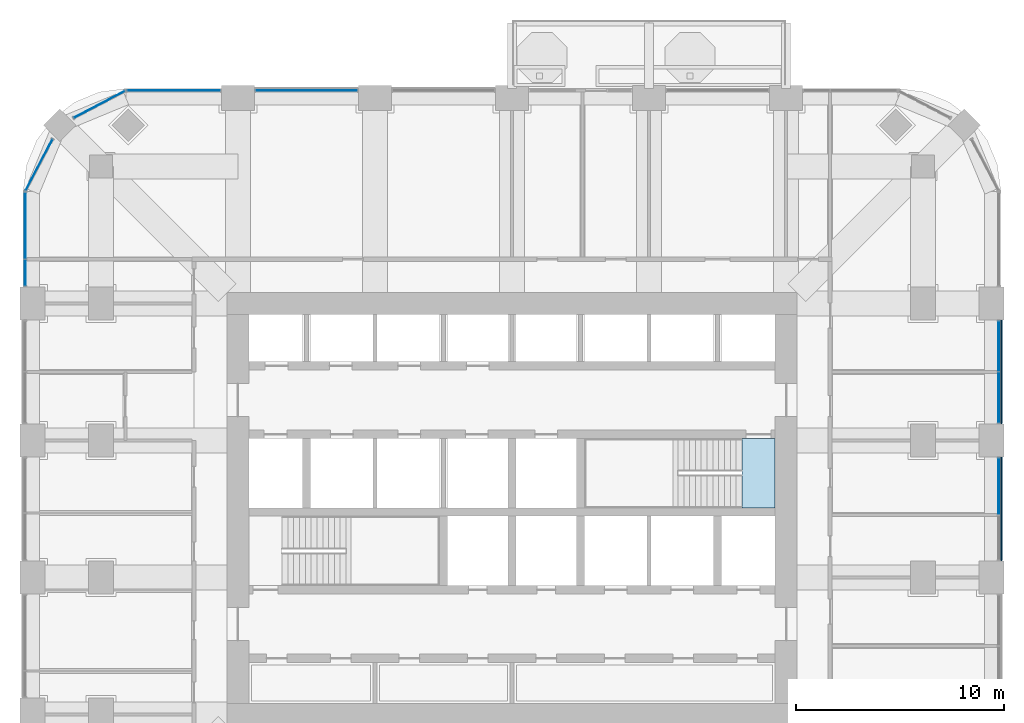
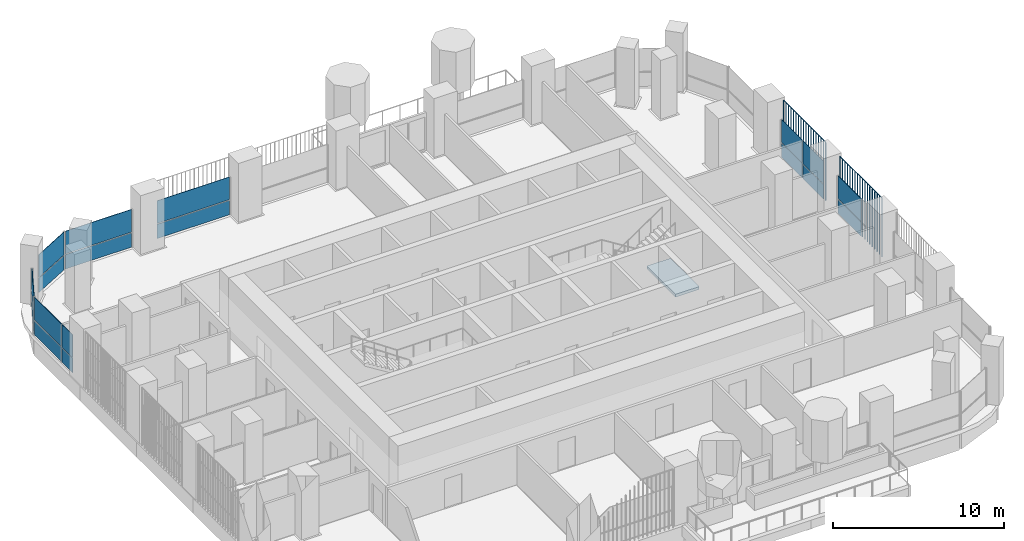
# One storey, part 11 of 20: 20 plates, 1 slab, 8 elements without a shape of their own.
"""IFC4 building model written with IfcOpenShell, lengths in metres."""

from ifc_helpers import new_model, si_unit, direction, frame, origin, origin_2d, place, context, subcontext, project, spatial, polyline, rectangle, outline, extrude, material, layer, layer_set, type_object, element, aggregate, save


model = new_model("IFC4")

# Units and contexts
model_context = context("Model", 3, precision=1e-05, world=origin(), true_north=direction((0.0, 1.0)))
body_context = subcontext(model_context, "Body", "Model", "MODEL_VIEW")
ifc_project = project(units=[si_unit("LENGTHUNIT", "METRE"), si_unit("AREAUNIT", "SQUARE_METRE"), si_unit("VOLUMEUNIT", "CUBIC_METRE"), si_unit("PLANEANGLEUNIT", "RADIAN"), si_unit("MASSUNIT", "GRAM", prefix="KILO")], contexts=[model_context])

# Site, building, storey
site_placement = place(None, origin())
site = spatial("IfcSite", under=ifc_project, at=site_placement, CompositionType="ELEMENT")
building_placement = place(site_placement, origin())
building = spatial("IfcBuilding", under=site, at=building_placement, Name="Cobogo Forest Laboratory Tower", CompositionType="ELEMENT")
storey_placement = place(building_placement, frame((0.0, 0.0, 189.300048828125)))
storey = spatial("IfcBuildingStorey", under=building, at=storey_placement, Name="L43", CompositionType="ELEMENT", Elevation=189.300048828125)

# Curtain wall, plates
ifc_material_1 = material(Name="Aluminium curtain wall", Category="aluminium")
curtain_wall_type = type_object("IfcCurtainWallType", Name="CW-2 unitised curtain wall, solar control glazing, laboratory floors zones C and D", PredefinedType="USERDEFINED", material=ifc_material_1)
curtain_wall_1_placement = place(storey_placement, origin())
curtain_wall_1 = element("IfcCurtainWall", 1, at=curtain_wall_1_placement, inside=storey, type_object=curtain_wall_type, Name="Curtain wall 11 L43", ObjectType="UNITISED CURTAIN WALL", PredefinedType="USERDEFINED")
ifc_material_2 = material(Name="Solar control insulated glass", Category="glass")
ifc_layer_1 = layer(ifc_material_2, 0.031982421875)
ifc_layer_set_1 = layer_set([ifc_layer_1], Name="GP-2 solar control glass unit 32")
plate_type_1 = type_object("IfcPlateType", Name="GP-2 solar control glass unit 32", PredefinedType="CURTAIN_PANEL", material=ifc_layer_set_1)
plate_1_placement = place(storey_placement, frame((49.85009765625, 24.18505859375, 0.0), z_axis=(0.0, 0.0, 1.0), x_axis=(0.0, 1.0, 0.0)))
plate_1 = element("IfcPlate", 2, at=plate_1_placement, type_object=plate_type_1, Name="CW-2 panel 2.1", PredefinedType="CURTAIN_PANEL", context=body_context, shape_type="SweptSolid", body=[
    extrude(rectangle(XDim=2.7099609375, YDim=0.031982421875, at=origin_2d()), origin(), (0.0, 0.0, 1.0), 1.02001953125),
])
plate_2_placement = place(storey_placement, frame((49.85009765625, 24.18505859375, 1.079833984375), z_axis=(0.0, 0.0, 1.0), x_axis=(0.0, 1.0, 0.0)))
plate_2 = element("IfcPlate", 3, at=plate_2_placement, type_object=plate_type_1, Name="CW-2 panel 2.2", PredefinedType="CURTAIN_PANEL", context=body_context, shape_type="SweptSolid", body=[
    extrude(rectangle(XDim=2.7099609375, YDim=0.031982421875, at=origin_2d()), origin(), (0.0, 0.0, 1.0), 1.6201171875),
])
aggregate(curtain_wall_1, [plate_1, plate_2])

curtain_wall_2_placement = place(storey_placement, origin())
curtain_wall_2 = element("IfcCurtainWall", 4, at=curtain_wall_2_placement, inside=storey, type_object=curtain_wall_type, Name="Curtain wall 12 L43", ObjectType="UNITISED CURTAIN WALL", PredefinedType="USERDEFINED")
plate_3_placement = place(storey_placement, frame((49.85009765625, 28.465087890625, 0.0), z_axis=(0.0, 0.0, 1.0), x_axis=(0.0, 1.0, 0.0)))
plate_3 = element("IfcPlate", 5, at=plate_3_placement, type_object=plate_type_1, Name="CW-2 panel 1.1", PredefinedType="CURTAIN_PANEL", context=body_context, shape_type="SweptSolid", body=[
    extrude(rectangle(XDim=2.409912109375, YDim=0.031982421875, at=origin_2d()), origin(), (0.0, 0.0, 1.0), 1.02001953125),
])
plate_4_placement = place(storey_placement, frame((49.85009765625, 28.465087890625, 1.079833984375), z_axis=(0.0, 0.0, 1.0), x_axis=(0.0, 1.0, 0.0)))
plate_4 = element("IfcPlate", 6, at=plate_4_placement, type_object=plate_type_1, Name="CW-2 panel 1.2", PredefinedType="CURTAIN_PANEL", context=body_context, shape_type="SweptSolid", body=[
    extrude(rectangle(XDim=2.409912109375, YDim=0.031982421875, at=origin_2d()), origin(), (0.0, 0.0, 1.0), 1.6201171875),
])
plate_5_placement = place(storey_placement, frame((49.85009765625, 30.93505859375, 0.0), z_axis=(0.0, 0.0, 1.0), x_axis=(0.0, 1.0, 0.0)))
plate_5 = element("IfcPlate", 7, at=plate_5_placement, type_object=plate_type_1, Name="CW-2 panel 2.1", PredefinedType="CURTAIN_PANEL", context=body_context, shape_type="SweptSolid", body=[
    extrude(rectangle(XDim=2.409912109375, YDim=0.031982421875, at=origin_2d()), origin(), (0.0, 0.0, 1.0), 1.02001953125),
])
plate_6_placement = place(storey_placement, frame((49.85009765625, 30.93505859375, 1.079833984375), z_axis=(0.0, 0.0, 1.0), x_axis=(0.0, 1.0, 0.0)))
plate_6 = element("IfcPlate", 8, at=plate_6_placement, type_object=plate_type_1, Name="CW-2 panel 2.2", PredefinedType="CURTAIN_PANEL", context=body_context, shape_type="SweptSolid", body=[
    extrude(rectangle(XDim=2.409912109375, YDim=0.031982421875, at=origin_2d()), origin(), (0.0, 0.0, 1.0), 1.6201171875),
])
aggregate(curtain_wall_2, [plate_3, plate_4, plate_5, plate_6])

curtain_wall_3_placement = place(storey_placement, origin())
curtain_wall_3 = element("IfcCurtainWall", 9, at=curtain_wall_3_placement, inside=storey, type_object=curtain_wall_type, Name="Curtain wall 20 L43", ObjectType="UNITISED CURTAIN WALL", PredefinedType="USERDEFINED")
plate_7_placement = place(storey_placement, frame((16.5, 43.25, 0.0), z_axis=(0.0, 0.0, 1.0), x_axis=(-1.0, 0.0, 0.0)))
plate_7 = element("IfcPlate", 10, at=plate_7_placement, type_object=plate_type_1, Name="CW-2 panel 1.1", PredefinedType="CURTAIN_PANEL", context=body_context, shape_type="SweptSolid", body=[
    extrude(rectangle(XDim=4.8798828125, YDim=0.031982421875, at=origin_2d()), origin(), (0.0, 0.0, 1.0), 1.02001953125),
])
plate_8_placement = place(storey_placement, frame((16.5, 43.25, 1.079833984375), z_axis=(0.0, 0.0, 1.0), x_axis=(-1.0, 0.0, 0.0)))
plate_8 = element("IfcPlate", 11, at=plate_8_placement, type_object=plate_type_1, Name="CW-2 panel 1.2", PredefinedType="CURTAIN_PANEL", context=body_context, shape_type="SweptSolid", body=[
    extrude(rectangle(XDim=4.8798828125, YDim=0.031982421875, at=origin_2d()), origin(), (0.0, 0.0, 1.0), 1.6201171875),
])
aggregate(curtain_wall_3, [plate_7, plate_8])

curtain_wall_4_placement = place(storey_placement, origin())
curtain_wall_4 = element("IfcCurtainWall", 12, at=curtain_wall_4_placement, inside=storey, type_object=curtain_wall_type, Name="Curtain wall 21 L43", ObjectType="UNITISED CURTAIN WALL", PredefinedType="USERDEFINED")
plate_9_placement = place(storey_placement, frame((10.10009765625, 43.25, 0.0), z_axis=(0.0, 0.0, 1.0), x_axis=(-1.0, 0.0, 0.0)))
plate_9 = element("IfcPlate", 13, at=plate_9_placement, type_object=plate_type_1, Name="CW-2 panel 1.1", PredefinedType="CURTAIN_PANEL", context=body_context, shape_type="SweptSolid", body=[
    extrude(rectangle(XDim=4.47998046875, YDim=0.031982421875, at=origin_2d()), origin(), (0.0, 0.0, 1.0), 1.02001953125),
])
plate_10_placement = place(storey_placement, frame((10.10009765625, 43.25, 1.079833984375), z_axis=(0.0, 0.0, 1.0), x_axis=(-1.0, 0.0, 0.0)))
plate_10 = element("IfcPlate", 14, at=plate_10_placement, type_object=plate_type_1, Name="CW-2 panel 1.2", PredefinedType="CURTAIN_PANEL", context=body_context, shape_type="SweptSolid", body=[
    extrude(rectangle(XDim=4.47998046875, YDim=0.031982421875, at=origin_2d()), origin(), (0.0, 0.0, 1.0), 1.6201171875),
])
aggregate(curtain_wall_4, [plate_9, plate_10])

curtain_wall_5_placement = place(storey_placement, origin())
curtain_wall_5 = element("IfcCurtainWall", 15, at=curtain_wall_5_placement, inside=storey, type_object=curtain_wall_type, Name="Curtain wall 22 L43", ObjectType="UNITISED CURTAIN WALL", PredefinedType="USERDEFINED")
plate_11_placement = place(storey_placement, frame((6.5244140625, 42.581298828125, 0.0), z_axis=(0.0, 0.0, 1.0), x_axis=(-0.885686484356, -0.464283804832, 0.0)))
plate_11 = element("IfcPlate", 16, at=plate_11_placement, type_object=plate_type_1, Name="CW-2 panel 1.1", PredefinedType="CURTAIN_PANEL", context=body_context, shape_type="SweptSolid", body=[
    extrude(rectangle(XDim=2.76025390625, YDim=0.031982421875, at=origin_2d()), origin(), (0.0, 0.0, 1.0), 1.02001953125),
])
plate_12_placement = place(storey_placement, frame((6.5244140625, 42.581298828125, 1.079833984375), z_axis=(0.0, 0.0, 1.0), x_axis=(-0.885686484356, -0.464283804832, 0.0)))
plate_12 = element("IfcPlate", 17, at=plate_12_placement, type_object=plate_type_1, Name="CW-2 panel 1.2", PredefinedType="CURTAIN_PANEL", context=body_context, shape_type="SweptSolid", body=[
    extrude(rectangle(XDim=2.76025390625, YDim=0.031982421875, at=origin_2d()), origin(), (0.0, 0.0, 1.0), 1.6201171875),
])
aggregate(curtain_wall_5, [plate_11, plate_12])

curtain_wall_6_placement = place(storey_placement, origin())
curtain_wall_6 = element("IfcCurtainWall", 18, at=curtain_wall_6_placement, inside=storey, type_object=curtain_wall_type, Name="Curtain wall 23 L43", ObjectType="UNITISED CURTAIN WALL", PredefinedType="USERDEFINED")
plate_13_placement = place(storey_placement, frame((3.61865234375, 39.675537109375, 0.0), z_axis=(0.0, 0.0, 1.0), x_axis=(-0.464283804832, -0.885686484356, 0.0)))
plate_13 = element("IfcPlate", 19, at=plate_13_placement, type_object=plate_type_1, Name="CW-2 panel 1.1", PredefinedType="CURTAIN_PANEL", context=body_context, shape_type="SweptSolid", body=[
    extrude(rectangle(XDim=2.76025390625, YDim=0.031982421875, at=origin_2d()), origin(), (0.0, 0.0, 1.0), 1.02001953125),
])
plate_14_placement = place(storey_placement, frame((3.61865234375, 39.675537109375, 1.079833984375), z_axis=(0.0, 0.0, 1.0), x_axis=(-0.464283804832, -0.885686484356, 0.0)))
plate_14 = element("IfcPlate", 20, at=plate_14_placement, type_object=plate_type_1, Name="CW-2 panel 1.2", PredefinedType="CURTAIN_PANEL", context=body_context, shape_type="SweptSolid", body=[
    extrude(rectangle(XDim=2.76025390625, YDim=0.031982421875, at=origin_2d()), origin(), (0.0, 0.0, 1.0), 1.6201171875),
])
aggregate(curtain_wall_6, [plate_13, plate_14])

curtain_wall_7_placement = place(storey_placement, origin())
curtain_wall_7 = element("IfcCurtainWall", 21, at=curtain_wall_7_placement, inside=storey, type_object=curtain_wall_type, Name="Curtain wall 24 L43", ObjectType="UNITISED CURTAIN WALL", PredefinedType="USERDEFINED")
plate_15_placement = place(storey_placement, frame((2.949951171875, 36.74755859375, 0.0), z_axis=(0.0, 0.0, 1.0), x_axis=(0.0, -1.0, 0.0)))
plate_15 = element("IfcPlate", 22, at=plate_15_placement, type_object=plate_type_1, Name="CW-2 panel 1.1", PredefinedType="CURTAIN_PANEL", context=body_context, shape_type="SweptSolid", body=[
    extrude(rectangle(XDim=3.18505859375, YDim=0.031982421875, at=origin_2d()), origin(), (0.0, 0.0, 1.0), 1.02001953125),
])
plate_16_placement = place(storey_placement, frame((2.949951171875, 36.74755859375, 1.079833984375), z_axis=(0.0, 0.0, 1.0), x_axis=(0.0, -1.0, 0.0)))
plate_16 = element("IfcPlate", 23, at=plate_16_placement, type_object=plate_type_1, Name="CW-2 panel 1.2", PredefinedType="CURTAIN_PANEL", context=body_context, shape_type="SweptSolid", body=[
    extrude(rectangle(XDim=3.18505859375, YDim=0.031982421875, at=origin_2d()), origin(), (0.0, 0.0, 1.0), 1.6201171875),
])
plate_17_placement = place(storey_placement, frame((2.949951171875, 34.4775390625, 0.0), z_axis=(0.0, 0.0, 1.0), x_axis=(0.0, -1.0, 0.0)))
plate_17 = element("IfcPlate", 24, at=plate_17_placement, type_object=plate_type_1, Name="CW-2 panel 2.1", PredefinedType="CURTAIN_PANEL", context=body_context, shape_type="SweptSolid", body=[
    extrude(rectangle(XDim=1.235107421875, YDim=0.031982421875, at=origin_2d()), origin(), (0.0, 0.0, 1.0), 1.02001953125),
])
plate_18_placement = place(storey_placement, frame((2.949951171875, 34.4775390625, 1.079833984375), z_axis=(0.0, 0.0, 1.0), x_axis=(0.0, -1.0, 0.0)))
plate_18 = element("IfcPlate", 25, at=plate_18_placement, type_object=plate_type_1, Name="CW-2 panel 2.2", PredefinedType="CURTAIN_PANEL", context=body_context, shape_type="SweptSolid", body=[
    extrude(rectangle(XDim=1.235107421875, YDim=0.031982421875, at=origin_2d()), origin(), (0.0, 0.0, 1.0), 1.6201171875),
])
aggregate(curtain_wall_7, [plate_15, plate_16, plate_17, plate_18])

# Stair, slab
ifc_material_3 = material(Name="Precast concrete HA-40 (C40/50)", Category="concrete")
stair_type = type_object("IfcStairType", Name="ST24 exit stair 24 risers", PredefinedType="HALF_TURN_STAIR", material=ifc_material_3)
stair_placement = place(storey_placement, origin())
stair = element("IfcStair", 26, at=stair_placement, inside=storey, type_object=stair_type, Name="Stair 2 L43 to L44", PredefinedType="HALF_TURN_STAIR")
ifc_material_4 = material(Name="Concrete HA-40 (C40/50)", Category="concrete")
ifc_layer_2 = layer(ifc_material_4, 0.199951171875)
ifc_layer_set_2 = layer_set([ifc_layer_2], Name="SL stair landing 200")
slab_type = type_object("IfcSlabType", Name="SL stair landing 200", PredefinedType="LANDING", material=ifc_layer_set_2)
slab_placement = place(storey_placement, frame((0.0, 0.0, -0.199951171875)))
slab = element("IfcSlab", 27, at=slab_placement, type_object=slab_type, Name="ST2 landing 1", PredefinedType="LANDING", context=body_context, shape_type="SweptSolid", body=[
    extrude(outline(polyline([(37.472900390625, 23.14990234375), (39.074951171875, 23.14990234375), (39.074951171875, 26.5), (37.472900390625, 26.5), (37.472900390625, 23.14990234375)])), origin(), (0.0, 0.0, 1.0), 0.199951171875),
])
aggregate(stair, [slab])

# Plates
ifc_material_5 = material(Name="Terracotta", Category="masonry")
plate_type_2 = type_object("IfcPlateType", Name="TB1 terracotta baguette screen", PredefinedType="USERDEFINED", material=ifc_material_5)
plate_19_placement = place(storey_placement, frame((49.977783203125, 20.63134765625, -0.150146484375)))
element("IfcPlate", 28, at=plate_19_placement, inside=storey, type_object=plate_type_2, Name="Baguette screen E2 L43", ObjectType="BAGUETTE SCREEN", PredefinedType="USERDEFINED", context=body_context, shape_type="SweptSolid", body=[
    extrude(outline(polyline([(0.02880859375, 0.011962890625), (0.011962890625, 0.02880859375), (-0.011962890625, 0.02880859375), (-0.02880859375, 0.011962890625), (-0.02880859375, -0.011962890625), (-0.011962890625, -0.02880859375), (0.011962890625, -0.02880859375), (0.02880859375, -0.011962890625), (0.02880859375, 0.011962890625)])), frame((0.0, 0.0, 4.168701171875), z_axis=(0.0, 1.0, 0.0), x_axis=(-1.0, 0.0, 0.0)), (0.0, 0.0, 1.0), 4.9375),
    extrude(outline(polyline([(0.02880859375, 0.011962890625), (0.011962890625, 0.02880859375), (-0.011962890625, 0.02880859375), (-0.02880859375, 0.011962890625), (-0.02880859375, -0.011962890625), (-0.011962890625, -0.02880859375), (0.011962890625, -0.02880859375), (0.02880859375, -0.011962890625), (0.02880859375, 0.011962890625)])), origin(), (0.0, 0.0, 1.0), 4.137451171875),
    extrude(outline(polyline([(0.02880859375, 0.011962890625), (0.011962890625, 0.02880859375), (-0.011962890625, 0.02880859375), (-0.02880859375, 0.011962890625), (-0.02880859375, -0.011962890625), (-0.011962890625, -0.02880859375), (0.011962890625, -0.02880859375), (0.02880859375, -0.011962890625), (0.02880859375, 0.011962890625)])), frame((0.0, 0.29052734375, 0.0)), (0.0, 0.0, 1.0), 4.137451171875),
    extrude(outline(polyline([(0.02880859375, 0.011962890625), (0.011962890625, 0.02880859375), (-0.011962890625, 0.02880859375), (-0.02880859375, 0.011962890625), (-0.02880859375, -0.011962890625), (-0.011962890625, -0.02880859375), (0.011962890625, -0.02880859375), (0.02880859375, -0.011962890625), (0.02880859375, 0.011962890625)])), frame((0.0, 0.580810546875, 0.0)), (0.0, 0.0, 1.0), 4.137451171875),
    extrude(outline(polyline([(0.02880859375, 0.011962890625), (0.011962890625, 0.02880859375), (-0.011962890625, 0.02880859375), (-0.02880859375, 0.011962890625), (-0.02880859375, -0.011962890625), (-0.011962890625, -0.02880859375), (0.011962890625, -0.02880859375), (0.02880859375, -0.011962890625), (0.02880859375, 0.011962890625)])), frame((0.0, 0.871337890625, 0.0)), (0.0, 0.0, 1.0), 4.137451171875),
    extrude(outline(polyline([(0.02880859375, 0.011962890625), (0.011962890625, 0.02880859375), (-0.011962890625, 0.02880859375), (-0.02880859375, 0.011962890625), (-0.02880859375, -0.011962890625), (-0.011962890625, -0.02880859375), (0.011962890625, -0.02880859375), (0.02880859375, -0.011962890625), (0.02880859375, 0.011962890625)])), frame((0.0, 1.161865234375, 0.0)), (0.0, 0.0, 1.0), 4.137451171875),
    extrude(outline(polyline([(0.02880859375, 0.011962890625), (0.011962890625, 0.02880859375), (-0.011962890625, 0.02880859375), (-0.02880859375, 0.011962890625), (-0.02880859375, -0.011962890625), (-0.011962890625, -0.02880859375), (0.011962890625, -0.02880859375), (0.02880859375, -0.011962890625), (0.02880859375, 0.011962890625)])), frame((0.0, 1.4521484375, 0.0)), (0.0, 0.0, 1.0), 4.137451171875),
    extrude(outline(polyline([(0.02880859375, 0.011962890625), (0.011962890625, 0.02880859375), (-0.011962890625, 0.02880859375), (-0.02880859375, 0.011962890625), (-0.02880859375, -0.011962890625), (-0.011962890625, -0.02880859375), (0.011962890625, -0.02880859375), (0.02880859375, -0.011962890625), (0.02880859375, 0.011962890625)])), frame((0.0, 1.74267578125, 0.0)), (0.0, 0.0, 1.0), 4.137451171875),
    extrude(outline(polyline([(0.02880859375, 0.011962890625), (0.011962890625, 0.02880859375), (-0.011962890625, 0.02880859375), (-0.02880859375, 0.011962890625), (-0.02880859375, -0.011962890625), (-0.011962890625, -0.02880859375), (0.011962890625, -0.02880859375), (0.02880859375, -0.011962890625), (0.02880859375, 0.011962890625)])), frame((0.0, 2.033203125, 0.0)), (0.0, 0.0, 1.0), 4.137451171875),
    extrude(outline(polyline([(0.02880859375, 0.011962890625), (0.011962890625, 0.02880859375), (-0.011962890625, 0.02880859375), (-0.02880859375, 0.011962890625), (-0.02880859375, -0.011962890625), (-0.011962890625, -0.02880859375), (0.011962890625, -0.02880859375), (0.02880859375, -0.011962890625), (0.02880859375, 0.011962890625)])), frame((0.0, 2.323486328125, 0.0)), (0.0, 0.0, 1.0), 4.137451171875),
    extrude(outline(polyline([(0.02880859375, 0.011962890625), (0.011962890625, 0.02880859375), (-0.011962890625, 0.02880859375), (-0.02880859375, 0.011962890625), (-0.02880859375, -0.011962890625), (-0.011962890625, -0.02880859375), (0.011962890625, -0.02880859375), (0.02880859375, -0.011962890625), (0.02880859375, 0.011962890625)])), frame((0.0, 2.614013671875, 0.0)), (0.0, 0.0, 1.0), 4.137451171875),
    extrude(outline(polyline([(0.02880859375, 0.011962890625), (0.011962890625, 0.02880859375), (-0.011962890625, 0.02880859375), (-0.02880859375, 0.011962890625), (-0.02880859375, -0.011962890625), (-0.011962890625, -0.02880859375), (0.011962890625, -0.02880859375), (0.02880859375, -0.011962890625), (0.02880859375, 0.011962890625)])), frame((0.0, 2.904296875, 0.0)), (0.0, 0.0, 1.0), 4.137451171875),
    extrude(outline(polyline([(0.02880859375, 0.011962890625), (0.011962890625, 0.02880859375), (-0.011962890625, 0.02880859375), (-0.02880859375, 0.011962890625), (-0.02880859375, -0.011962890625), (-0.011962890625, -0.02880859375), (0.011962890625, -0.02880859375), (0.02880859375, -0.011962890625), (0.02880859375, 0.011962890625)])), frame((0.0, 3.19482421875, 0.0)), (0.0, 0.0, 1.0), 4.137451171875),
    extrude(outline(polyline([(0.02880859375, 0.011962890625), (0.011962890625, 0.02880859375), (-0.011962890625, 0.02880859375), (-0.02880859375, 0.011962890625), (-0.02880859375, -0.011962890625), (-0.011962890625, -0.02880859375), (0.011962890625, -0.02880859375), (0.02880859375, -0.011962890625), (0.02880859375, 0.011962890625)])), frame((0.0, 3.4853515625, 0.0)), (0.0, 0.0, 1.0), 4.137451171875),
    extrude(outline(polyline([(0.02880859375, 0.011962890625), (0.011962890625, 0.02880859375), (-0.011962890625, 0.02880859375), (-0.02880859375, 0.011962890625), (-0.02880859375, -0.011962890625), (-0.011962890625, -0.02880859375), (0.011962890625, -0.02880859375), (0.02880859375, -0.011962890625), (0.02880859375, 0.011962890625)])), frame((0.0, 3.775634765625, 0.0)), (0.0, 0.0, 1.0), 4.137451171875),
    extrude(outline(polyline([(0.02880859375, 0.011962890625), (0.011962890625, 0.02880859375), (-0.011962890625, 0.02880859375), (-0.02880859375, 0.011962890625), (-0.02880859375, -0.011962890625), (-0.011962890625, -0.02880859375), (0.011962890625, -0.02880859375), (0.02880859375, -0.011962890625), (0.02880859375, 0.011962890625)])), frame((0.0, 4.066162109375, 0.0)), (0.0, 0.0, 1.0), 4.137451171875),
    extrude(outline(polyline([(0.02880859375, 0.011962890625), (0.011962890625, 0.02880859375), (-0.011962890625, 0.02880859375), (-0.02880859375, 0.011962890625), (-0.02880859375, -0.011962890625), (-0.011962890625, -0.02880859375), (0.011962890625, -0.02880859375), (0.02880859375, -0.011962890625), (0.02880859375, 0.011962890625)])), frame((0.0, 4.356689453125, 0.0)), (0.0, 0.0, 1.0), 4.137451171875),
    extrude(outline(polyline([(0.02880859375, 0.011962890625), (0.011962890625, 0.02880859375), (-0.011962890625, 0.02880859375), (-0.02880859375, 0.011962890625), (-0.02880859375, -0.011962890625), (-0.011962890625, -0.02880859375), (0.011962890625, -0.02880859375), (0.02880859375, -0.011962890625), (0.02880859375, 0.011962890625)])), frame((0.0, 4.64697265625, 0.0)), (0.0, 0.0, 1.0), 4.137451171875),
    extrude(outline(polyline([(0.02880859375, 0.011962890625), (0.011962890625, 0.02880859375), (-0.011962890625, 0.02880859375), (-0.02880859375, 0.011962890625), (-0.02880859375, -0.011962890625), (-0.011962890625, -0.02880859375), (0.011962890625, -0.02880859375), (0.02880859375, -0.011962890625), (0.02880859375, 0.011962890625)])), frame((0.0, 4.9375, 0.0)), (0.0, 0.0, 1.0), 4.137451171875),
])
plate_20_placement = place(storey_placement, frame((49.977783203125, 27.231201171875, -0.150146484375)))
element("IfcPlate", 29, at=plate_20_placement, inside=storey, type_object=plate_type_2, Name="Baguette screen E3 L43", ObjectType="BAGUETTE SCREEN", PredefinedType="USERDEFINED", context=body_context, shape_type="SweptSolid", body=[
    extrude(outline(polyline([(0.02880859375, 0.011962890625), (0.011962890625, 0.02880859375), (-0.011962890625, 0.02880859375), (-0.02880859375, 0.011962890625), (-0.02880859375, -0.011962890625), (-0.011962890625, -0.02880859375), (0.011962890625, -0.02880859375), (0.02880859375, -0.011962890625), (0.02880859375, 0.011962890625)])), frame((0.0, 0.0, 4.168701171875), z_axis=(0.0, 1.0, 0.0), x_axis=(-1.0, 0.0, 0.0)), (0.0, 0.0, 1.0), 4.9375),
    extrude(outline(polyline([(0.02880859375, 0.011962890625), (0.011962890625, 0.02880859375), (-0.011962890625, 0.02880859375), (-0.02880859375, 0.011962890625), (-0.02880859375, -0.011962890625), (-0.011962890625, -0.02880859375), (0.011962890625, -0.02880859375), (0.02880859375, -0.011962890625), (0.02880859375, 0.011962890625)])), origin(), (0.0, 0.0, 1.0), 4.137451171875),
    extrude(outline(polyline([(0.02880859375, 0.011962890625), (0.011962890625, 0.02880859375), (-0.011962890625, 0.02880859375), (-0.02880859375, 0.011962890625), (-0.02880859375, -0.011962890625), (-0.011962890625, -0.02880859375), (0.011962890625, -0.02880859375), (0.02880859375, -0.011962890625), (0.02880859375, 0.011962890625)])), frame((0.0, 0.29052734375, 0.0)), (0.0, 0.0, 1.0), 4.137451171875),
    extrude(outline(polyline([(0.02880859375, 0.011962890625), (0.011962890625, 0.02880859375), (-0.011962890625, 0.02880859375), (-0.02880859375, 0.011962890625), (-0.02880859375, -0.011962890625), (-0.011962890625, -0.02880859375), (0.011962890625, -0.02880859375), (0.02880859375, -0.011962890625), (0.02880859375, 0.011962890625)])), frame((0.0, 0.580810546875, 0.0)), (0.0, 0.0, 1.0), 4.137451171875),
    extrude(outline(polyline([(0.02880859375, 0.011962890625), (0.011962890625, 0.02880859375), (-0.011962890625, 0.02880859375), (-0.02880859375, 0.011962890625), (-0.02880859375, -0.011962890625), (-0.011962890625, -0.02880859375), (0.011962890625, -0.02880859375), (0.02880859375, -0.011962890625), (0.02880859375, 0.011962890625)])), frame((0.0, 0.871337890625, 0.0)), (0.0, 0.0, 1.0), 4.137451171875),
    extrude(outline(polyline([(0.02880859375, 0.011962890625), (0.011962890625, 0.02880859375), (-0.011962890625, 0.02880859375), (-0.02880859375, 0.011962890625), (-0.02880859375, -0.011962890625), (-0.011962890625, -0.02880859375), (0.011962890625, -0.02880859375), (0.02880859375, -0.011962890625), (0.02880859375, 0.011962890625)])), frame((0.0, 1.161865234375, 0.0)), (0.0, 0.0, 1.0), 4.137451171875),
    extrude(outline(polyline([(0.02880859375, 0.011962890625), (0.011962890625, 0.02880859375), (-0.011962890625, 0.02880859375), (-0.02880859375, 0.011962890625), (-0.02880859375, -0.011962890625), (-0.011962890625, -0.02880859375), (0.011962890625, -0.02880859375), (0.02880859375, -0.011962890625), (0.02880859375, 0.011962890625)])), frame((0.0, 1.4521484375, 0.0)), (0.0, 0.0, 1.0), 4.137451171875),
    extrude(outline(polyline([(0.02880859375, 0.011962890625), (0.011962890625, 0.02880859375), (-0.011962890625, 0.02880859375), (-0.02880859375, 0.011962890625), (-0.02880859375, -0.011962890625), (-0.011962890625, -0.02880859375), (0.011962890625, -0.02880859375), (0.02880859375, -0.011962890625), (0.02880859375, 0.011962890625)])), frame((0.0, 1.74267578125, 0.0)), (0.0, 0.0, 1.0), 4.137451171875),
    extrude(outline(polyline([(0.02880859375, 0.011962890625), (0.011962890625, 0.02880859375), (-0.011962890625, 0.02880859375), (-0.02880859375, 0.011962890625), (-0.02880859375, -0.011962890625), (-0.011962890625, -0.02880859375), (0.011962890625, -0.02880859375), (0.02880859375, -0.011962890625), (0.02880859375, 0.011962890625)])), frame((0.0, 2.033203125, 0.0)), (0.0, 0.0, 1.0), 4.137451171875),
    extrude(outline(polyline([(0.02880859375, 0.011962890625), (0.011962890625, 0.02880859375), (-0.011962890625, 0.02880859375), (-0.02880859375, 0.011962890625), (-0.02880859375, -0.011962890625), (-0.011962890625, -0.02880859375), (0.011962890625, -0.02880859375), (0.02880859375, -0.011962890625), (0.02880859375, 0.011962890625)])), frame((0.0, 2.323486328125, 0.0)), (0.0, 0.0, 1.0), 4.137451171875),
    extrude(outline(polyline([(0.02880859375, 0.011962890625), (0.011962890625, 0.02880859375), (-0.011962890625, 0.02880859375), (-0.02880859375, 0.011962890625), (-0.02880859375, -0.011962890625), (-0.011962890625, -0.02880859375), (0.011962890625, -0.02880859375), (0.02880859375, -0.011962890625), (0.02880859375, 0.011962890625)])), frame((0.0, 2.614013671875, 0.0)), (0.0, 0.0, 1.0), 4.137451171875),
    extrude(outline(polyline([(0.02880859375, 0.011962890625), (0.011962890625, 0.02880859375), (-0.011962890625, 0.02880859375), (-0.02880859375, 0.011962890625), (-0.02880859375, -0.011962890625), (-0.011962890625, -0.02880859375), (0.011962890625, -0.02880859375), (0.02880859375, -0.011962890625), (0.02880859375, 0.011962890625)])), frame((0.0, 2.904296875, 0.0)), (0.0, 0.0, 1.0), 4.137451171875),
    extrude(outline(polyline([(0.02880859375, 0.011962890625), (0.011962890625, 0.02880859375), (-0.011962890625, 0.02880859375), (-0.02880859375, 0.011962890625), (-0.02880859375, -0.011962890625), (-0.011962890625, -0.02880859375), (0.011962890625, -0.02880859375), (0.02880859375, -0.011962890625), (0.02880859375, 0.011962890625)])), frame((0.0, 3.19482421875, 0.0)), (0.0, 0.0, 1.0), 4.137451171875),
    extrude(outline(polyline([(0.02880859375, 0.011962890625), (0.011962890625, 0.02880859375), (-0.011962890625, 0.02880859375), (-0.02880859375, 0.011962890625), (-0.02880859375, -0.011962890625), (-0.011962890625, -0.02880859375), (0.011962890625, -0.02880859375), (0.02880859375, -0.011962890625), (0.02880859375, 0.011962890625)])), frame((0.0, 3.4853515625, 0.0)), (0.0, 0.0, 1.0), 4.137451171875),
    extrude(outline(polyline([(0.02880859375, 0.011962890625), (0.011962890625, 0.02880859375), (-0.011962890625, 0.02880859375), (-0.02880859375, 0.011962890625), (-0.02880859375, -0.011962890625), (-0.011962890625, -0.02880859375), (0.011962890625, -0.02880859375), (0.02880859375, -0.011962890625), (0.02880859375, 0.011962890625)])), frame((0.0, 3.775634765625, 0.0)), (0.0, 0.0, 1.0), 4.137451171875),
    extrude(outline(polyline([(0.02880859375, 0.011962890625), (0.011962890625, 0.02880859375), (-0.011962890625, 0.02880859375), (-0.02880859375, 0.011962890625), (-0.02880859375, -0.011962890625), (-0.011962890625, -0.02880859375), (0.011962890625, -0.02880859375), (0.02880859375, -0.011962890625), (0.02880859375, 0.011962890625)])), frame((0.0, 4.066162109375, 0.0)), (0.0, 0.0, 1.0), 4.137451171875),
    extrude(outline(polyline([(0.02880859375, 0.011962890625), (0.011962890625, 0.02880859375), (-0.011962890625, 0.02880859375), (-0.02880859375, 0.011962890625), (-0.02880859375, -0.011962890625), (-0.011962890625, -0.02880859375), (0.011962890625, -0.02880859375), (0.02880859375, -0.011962890625), (0.02880859375, 0.011962890625)])), frame((0.0, 4.356689453125, 0.0)), (0.0, 0.0, 1.0), 4.137451171875),
    extrude(outline(polyline([(0.02880859375, 0.011962890625), (0.011962890625, 0.02880859375), (-0.011962890625, 0.02880859375), (-0.02880859375, 0.011962890625), (-0.02880859375, -0.011962890625), (-0.011962890625, -0.02880859375), (0.011962890625, -0.02880859375), (0.02880859375, -0.011962890625), (0.02880859375, 0.011962890625)])), frame((0.0, 4.64697265625, 0.0)), (0.0, 0.0, 1.0), 4.137451171875),
    extrude(outline(polyline([(0.02880859375, 0.011962890625), (0.011962890625, 0.02880859375), (-0.011962890625, 0.02880859375), (-0.02880859375, 0.011962890625), (-0.02880859375, -0.011962890625), (-0.011962890625, -0.02880859375), (0.011962890625, -0.02880859375), (0.02880859375, -0.011962890625), (0.02880859375, 0.011962890625)])), frame((0.0, 4.9375, 0.0)), (0.0, 0.0, 1.0), 4.137451171875),
])

save(model, "model.ifc")
